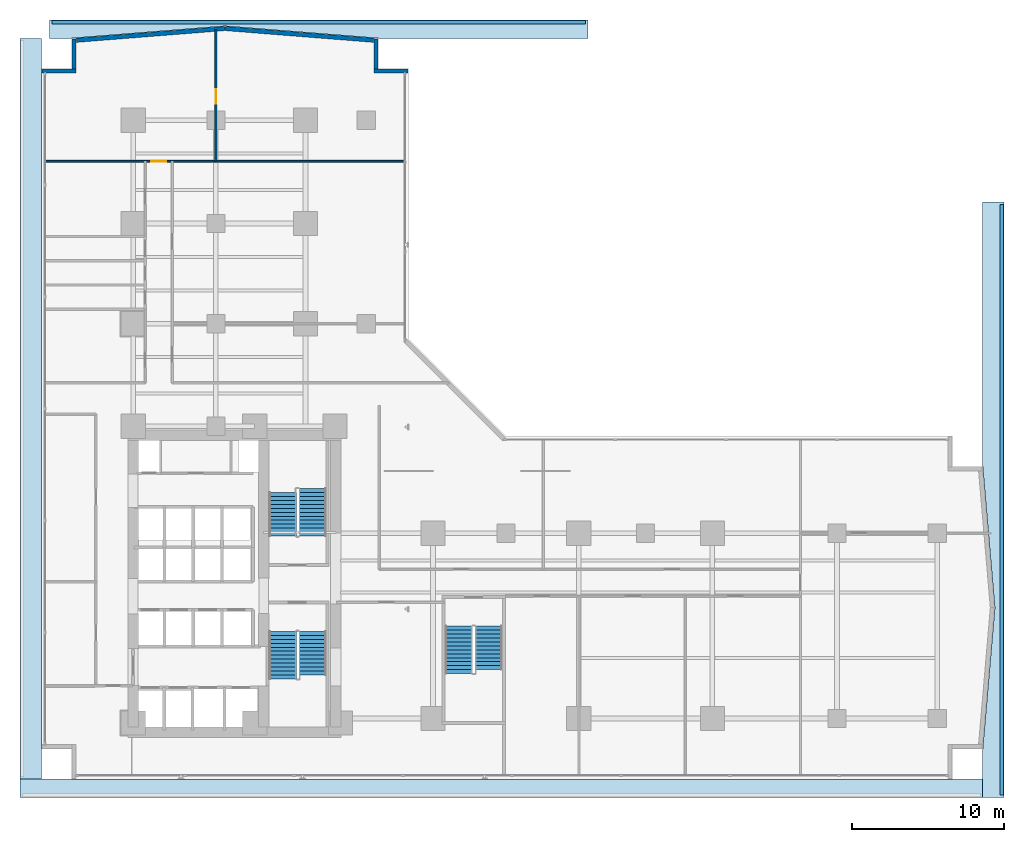
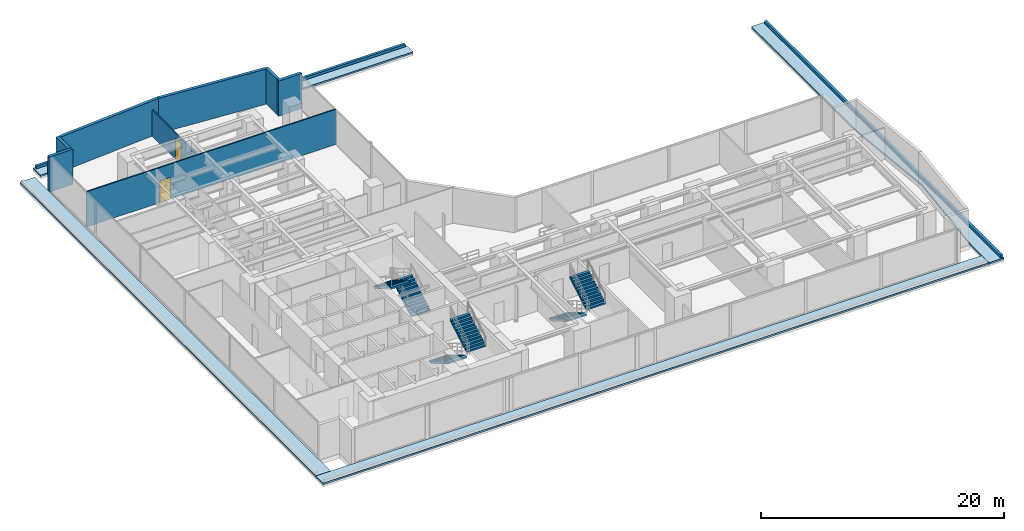
# One storey, part 24 of 29: 10 walls, 6 stair flights, 4 roofs, 2 doors, 2 openings, 3 elements without a shape of their own.
"""IFC4 building model written with IfcOpenShell, lengths in metres."""

from ifc_helpers import new_model, si_unit, direction, frame, frame_2d, origin, place, context, subcontext, project, spatial, polyline, rectangle, outline, extrude, material, layer, layer_set, type_object, element, fill, aggregate, save


model = new_model("IFC4")

# Units and contexts
model_context = context("Model", 3, precision=1e-05, world=origin(), true_north=direction((0.0, 1.0)))
body_context = subcontext(model_context, "Body", "Model", "MODEL_VIEW")
ifc_project = project(units=[si_unit("LENGTHUNIT", "METRE"), si_unit("AREAUNIT", "SQUARE_METRE"), si_unit("VOLUMEUNIT", "CUBIC_METRE"), si_unit("PLANEANGLEUNIT", "RADIAN"), si_unit("MASSUNIT", "GRAM", prefix="KILO")], contexts=[model_context])

# Site, building, storey
site_placement = place(None, origin())
site = spatial("IfcSite", under=ifc_project, at=site_placement, CompositionType="ELEMENT")
building_placement = place(site_placement, origin())
building = spatial("IfcBuilding", under=site, at=building_placement, Name="Kolvaren Waterfront Exchange", CompositionType="ELEMENT")
storey_placement = place(building_placement, frame((0.0, 0.0, 29.60009765625)))
storey = spatial("IfcBuildingStorey", under=building, at=storey_placement, Name="L07", CompositionType="ELEMENT", Elevation=29.60009765625)

# Walls
ifc_material_1 = material(Name="Precast concrete C40/50", Category="concrete")
ifc_layer_1 = layer(ifc_material_1, 0.280029296875, Name="Precast concrete C40/50")
ifc_layer_set_1 = layer_set([ifc_layer_1], Name="Precast concrete C40/50")
wall_type_1 = type_object("IfcWallType", Name="ARC-EXT-TERR-280", PredefinedType="SOLIDWALL", material=ifc_layer_set_1)
wall_1_placement = place(storey_placement, frame((23.300048828125, 47.840087890625, 0.0), z_axis=(0.0, 0.0, 1.0), x_axis=(1.0, 0.0, 0.0)))
element("IfcWall", 1, at=wall_1_placement, inside=storey, type_object=wall_type_1, Name="L07 notched corner spandrel pier NNE-A", PredefinedType="SOLIDWALL", context=body_context, shape_type="SweptSolid", body=[
    extrude(rectangle(XDim=2.239990234375, YDim=0.280029296875, at=frame_2d((1.1201171875, 0.0))), origin(), (0.0, 0.0, 1.0), 3.539794921875),
])
wall_2_placement = place(storey_placement, frame((23.43994140625, 47.97998046875, 0.0), z_axis=(0.0, 0.0, 1.0), x_axis=(0.0, 1.0, 0.0)))
element("IfcWall", 2, at=wall_2_placement, inside=storey, type_object=wall_type_1, Name="L07 notched corner spandrel pier NNE-B", PredefinedType="SOLIDWALL", context=body_context, shape_type="SweptSolid", body=[
    extrude(rectangle(XDim=1.9599609375, YDim=0.280029296875, at=frame_2d((0.97998046875, 0.0))), origin(), (0.0, 0.0, 1.0), 3.539794921875),
])
wall_3_placement = place(storey_placement, frame((1.4599609375, 47.840087890625, 0.0), z_axis=(0.0, 0.0, 1.0), x_axis=(1.0, 0.0, 0.0)))
element("IfcWall", 3, at=wall_3_placement, inside=storey, type_object=wall_type_1, Name="L07 notched corner spandrel pier NW-A", PredefinedType="SOLIDWALL", context=body_context, shape_type="SweptSolid", body=[
    extrude(rectangle(XDim=2.239990234375, YDim=0.280029296875, at=frame_2d((1.1201171875, 0.0))), origin(), (0.0, 0.0, 1.0), 3.539794921875),
])
wall_4_placement = place(storey_placement, frame((3.56005859375, 47.97998046875, 0.0), z_axis=(0.0, 0.0, 1.0), x_axis=(0.0, 1.0, 0.0)))
element("IfcWall", 4, at=wall_4_placement, inside=storey, type_object=wall_type_1, Name="L07 notched corner spandrel pier NW-B", PredefinedType="SOLIDWALL", context=body_context, shape_type="SweptSolid", body=[
    extrude(rectangle(XDim=1.9599609375, YDim=0.280029296875, at=frame_2d((0.97998046875, 0.0))), origin(), (0.0, 0.0, 1.0), 3.539794921875),
])
for number, where, z_axis, x_axis, name in (
    (5, (23.288330078125, 49.8642578125, 0.0), (0.0, 0.0, 1.0), (-0.996878337682, 0.078953023125, 0.0), "L07 north prow faceted facade wall 1"),
    (6, (13.49267578125, 50.638916015625, 0.0), (0.0, 0.0, 1.0), (-0.996878337682, -0.078953023125, 0.0), "L07 north prow faceted facade wall 2"),
):
    element("IfcWall", number, at=place(storey_placement, frame(where, z_axis=z_axis, x_axis=x_axis)), inside=storey, type_object=wall_type_1, Name=name, PredefinedType="SOLIDWALL", context=body_context, shape_type="SweptSolid", body=[
        extrude(rectangle(XDim=9.8115234375, YDim=0.280029296875, at=frame_2d((4.90576171875, 0.0))), origin(), (0.0, 0.0, 1.0), 3.539794921875),
    ])
ifc_layer_2 = layer(ifc_material_1, 0.239990234375, Name="Precast concrete C40/50")
ifc_layer_set_2 = layer_set([ifc_layer_2], Name="Precast concrete C40/50")
wall_type_2 = type_object("IfcWallType", Name="ARC-PARAPET-240", PredefinedType="PARAPET", material=ifc_layer_set_2)
wall_5_placement = place(storey_placement, frame((64.64990234375, 0.14990234375, 0.0), z_axis=(0.0, 0.0, 1.0), x_axis=(0.0, 1.0, 0.0)))
element("IfcWall", 7, at=wall_5_placement, inside=storey, type_object=wall_type_2, Name="L07 setback parapet kerb 1", PredefinedType="PARAPET", context=body_context, shape_type="SweptSolid", body=[
    extrude(rectangle(XDim=38.900146484375, YDim=0.239990234375, at=frame_2d((19.4501953125, 0.0))), origin(), (0.0, 0.0, 1.0), 0.419921875),
])
wall_6_placement = place(storey_placement, frame((2.10009765625, 51.050048828125, 0.0), z_axis=(0.0, 0.0, 1.0), x_axis=(1.0, 0.0, 0.0)))
element("IfcWall", 8, at=wall_6_placement, inside=storey, type_object=wall_type_2, Name="L07 setback parapet kerb 2", PredefinedType="PARAPET", context=body_context, shape_type="SweptSolid", body=[
    extrude(rectangle(XDim=35.14990234375, YDim=0.239990234375, at=frame_2d((17.574951171875, 0.0))), origin(), (0.0, 0.0, 1.0), 0.419921875),
])

# Wall, opening, door
ifc_material_2 = material(Name="Acoustic gypsum steel stud", Category="steel")
ifc_layer_3 = layer(ifc_material_2, 0.125, Name="Acoustic gypsum steel stud")
ifc_layer_set_3 = layer_set([ifc_layer_3], Name="Acoustic gypsum steel stud")
wall_type_3 = type_object("IfcWallType", Name="ARC-PART-125", PredefinedType="PARTITIONING", material=ifc_layer_set_3)
wall_7_placement = place(storey_placement, frame((1.639892578125, 41.89990234375, 0.0), z_axis=(0.0, 0.0, 1.0), x_axis=(1.0, 0.0, 0.0)))
wall_7 = element("IfcWall", 9, at=wall_7_placement, inside=storey, type_object=wall_type_3, Name="L07 interior wall PW-L07-NTIP-S", PredefinedType="PARTITIONING", context=body_context, shape_type="SweptSolid", body=[
    extrude(rectangle(XDim=23.72021484375, YDim=0.125, at=frame_2d((11.860107421875, 0.0))), origin(), (0.0, 0.0, 1.0), 3.539794921875),
])
opening_1_placement = place(wall_7_placement, frame((7.0, 0.0, 0.0)))
opening_1 = element("IfcOpeningElement", 10, at=opening_1_placement, cuts=wall_7, Name="Opening D03", PredefinedType="OPENING", context=body_context, shape_type="SweptSolid", body=[
    extrude(rectangle(XDim=1.0, YDim=2.199951171875, at=frame_2d((0.5, 1.10009765625))), frame((0.0, 0.072509765625, 0.0), z_axis=(0.0, -1.0, 0.0), x_axis=(1.0, 0.0, 0.0)), (0.0, 0.0, 1.0), 0.14501953125),
])
ifc_material_3 = material(Name="Oak veneer accessible timber", Category="wood")
door_type_1 = type_object("IfcDoorType", Name="ARC-DR-1000", OperationType="NOTDEFINED", PredefinedType="DOOR", material=ifc_material_3)
door_1_placement = place(opening_1_placement, origin())
door_1 = element("IfcDoor", 11, at=door_1_placement, inside=storey, type_object=door_type_1, Name="L07 door DR-L07-NTIPW-D (D03)", OperationType="SINGLE_SWING_RIGHT", OverallHeight=2.199951171875, OverallWidth=1.0, PredefinedType="DOOR", context=body_context, shape_type="SweptSolid", body=[
    extrude(rectangle(XDim=1.0, YDim=2.199951171875, at=frame_2d((0.5, 1.10009765625))), frame((0.0, 0.02490234375, 0.0), z_axis=(0.0, -1.0, 0.0), x_axis=(1.0, 0.0, 0.0)), (0.0, 0.0, 1.0), 0.050048828125),
])
fill(opening_1, door_1)

wall_8_placement = place(storey_placement, frame((12.89990234375, 41.89990234375, 0.0), z_axis=(0.0, 0.0, 1.0), x_axis=(0.0, 1.0, 0.0)))
wall_8 = element("IfcWall", 12, at=wall_8_placement, inside=storey, type_object=wall_type_3, Name="L07 interior wall PW-L07-NTIP-DIV", PredefinedType="PARTITIONING", context=body_context, shape_type="SweptSolid", body=[
    extrude(rectangle(XDim=8.66015625, YDim=0.125, at=frame_2d((4.330078125, 0.0))), origin(), (0.0, 0.0, 1.0), 2.6298828125),
])
opening_2_placement = place(wall_8_placement, frame((3.77880859375, 0.0, 0.0)))
opening_2 = element("IfcOpeningElement", 13, at=opening_2_placement, cuts=wall_8, Name="Opening D02", PredefinedType="OPENING", context=body_context, shape_type="SweptSolid", body=[
    extrude(rectangle(XDim=0.949951171875, YDim=2.14990234375, at=frame_2d((0.47509765625, 1.074951171875))), frame((0.0, 0.072509765625, 0.0), z_axis=(0.0, -1.0, 0.0), x_axis=(1.0, 0.0, 0.0)), (0.0, 0.0, 1.0), 0.14501953125),
])
ifc_material_4 = material(Name="Oak veneer acoustic timber", Category="wood")
door_type_2 = type_object("IfcDoorType", Name="ARC-DR-950", OperationType="NOTDEFINED", PredefinedType="DOOR", material=ifc_material_4)
door_2_placement = place(opening_2_placement, origin())
door_2 = element("IfcDoor", 14, at=door_2_placement, inside=storey, type_object=door_type_2, Name="L07 door DR-L07-NTIPE-D (D02)", OperationType="SINGLE_SWING_LEFT", OverallHeight=2.14990234375, OverallWidth=0.949951171875, PredefinedType="DOOR", context=body_context, shape_type="SweptSolid", body=[
    extrude(rectangle(XDim=0.949951171875, YDim=2.14990234375, at=frame_2d((0.47509765625, 1.074951171875))), frame((0.0, 0.02490234375, 0.0), z_axis=(0.0, -1.0, 0.0), x_axis=(1.0, 0.0, 0.0)), (0.0, 0.0, 1.0), 0.050048828125),
])
fill(opening_2, door_2)

# Stair, stair flights
ifc_material_5 = material(Name="Concrete C40/50", Category="concrete")
stair_type = type_object("IfcStairType", Name="ARC-STAIR-3800", PredefinedType="HALF_TURN_STAIR", material=ifc_material_5)
stair_1_placement = place(storey_placement, origin())
stair_1 = element("IfcStair", 15, at=stair_1_placement, inside=storey, type_object=stair_type, Name="L07 Smoke-proof exit stair ST1", PredefinedType="HALF_TURN_STAIR")
stair_flight_type = type_object("IfcStairFlightType", Name="ARC-FLIGHT-3800", PredefinedType="STRAIGHT", material=ifc_material_5)
stair_flight_1_placement = place(storey_placement, frame((17.300048828125, 10.929931640625, 0.0), z_axis=(0.0, 0.0, 1.0), x_axis=(0.0, -1.0, 0.0)))
stair_flight_1 = element("IfcStairFlight", 16, at=stair_flight_1_placement, type_object=stair_flight_type, Name="ST1 flight 1", NumberOfRisers=13, NumberOfTreads=12, PredefinedType="STRAIGHT", RiserHeight=0.152, TreadLength=0.26, context=body_context, shape_type="SweptSolid", body=[
    extrude(outline(polyline([(0.0, 0.0), (0.0, 0.152099609375), (0.260009765625, 0.152099609375), (0.260009765625, 0.303955078125), (0.52001953125, 0.303955078125), (0.52001953125, 0.4560546875), (0.780029296875, 0.4560546875), (0.780029296875, 0.60791015625), (1.0400390625, 0.60791015625), (1.0400390625, 0.760009765625), (1.300048828125, 0.760009765625), (1.300048828125, 0.912109375), (1.56005859375, 0.912109375), (1.56005859375, 1.06396484375), (1.820068359375, 1.06396484375), (1.820068359375, 1.216064453125), (2.080078125, 1.216064453125), (2.080078125, 1.367919921875), (2.340087890625, 1.367919921875), (2.340087890625, 1.52001953125), (2.60009765625, 1.52001953125), (2.60009765625, 1.672119140625), (2.860107421875, 1.672119140625), (2.860107421875, 1.823974609375), (3.1201171875, 1.823974609375), (3.1201171875, 1.97607421875), (3.1201171875, 1.650390625), (0.297119140625, 0.0), (0.0, 0.0)])), frame((0.0, 0.89990234375, 0.0), z_axis=(0.0, -1.0, 0.0), x_axis=(1.0, 0.0, 0.0)), (0.0, 0.0, 1.0), 1.800048828125),
])
stair_flight_2_placement = place(storey_placement, frame((19.260009765625, 8.070068359375, 1.975830078125), z_axis=(0.0, 0.0, 1.0), x_axis=(0.0, 1.0, 0.0)))
stair_flight_2 = element("IfcStairFlight", 17, at=stair_flight_2_placement, type_object=stair_flight_type, Name="ST1 flight 2", NumberOfRisers=12, NumberOfTreads=11, PredefinedType="STRAIGHT", RiserHeight=0.152, TreadLength=0.26, context=body_context, shape_type="SweptSolid", body=[
    extrude(outline(polyline([(0.0, 0.0), (0.0, 0.152099609375), (0.260009765625, 0.152099609375), (0.260009765625, 0.303955078125), (0.52001953125, 0.303955078125), (0.52001953125, 0.4560546875), (0.780029296875, 0.4560546875), (0.780029296875, 0.60791015625), (1.0400390625, 0.60791015625), (1.0400390625, 0.760009765625), (1.300048828125, 0.760009765625), (1.300048828125, 0.912109375), (1.56005859375, 0.912109375), (1.56005859375, 1.06396484375), (1.820068359375, 1.06396484375), (1.820068359375, 1.216064453125), (2.080078125, 1.216064453125), (2.080078125, 1.367919921875), (2.340087890625, 1.367919921875), (2.340087890625, 1.52001953125), (2.60009765625, 1.52001953125), (2.60009765625, 1.672119140625), (2.860107421875, 1.672119140625), (2.860107421875, 1.823974609375), (2.860107421875, 1.498291015625), (0.297119140625, 0.0), (0.0, 0.0)])), frame((0.0, 0.89990234375, 0.0), z_axis=(0.0, -1.0, 0.0), x_axis=(1.0, 0.0, 0.0)), (0.0, 0.0, 1.0), 1.800048828125),
])
aggregate(stair_1, [stair_flight_1, stair_flight_2])

stair_2_placement = place(storey_placement, origin())
stair_2 = element("IfcStair", 18, at=stair_2_placement, inside=storey, type_object=stair_type, Name="L07 Smoke-proof exit stair ST2", PredefinedType="HALF_TURN_STAIR")
stair_flight_3_placement = place(storey_placement, frame((19.260009765625, 17.219970703125, 0.0), z_axis=(0.0, 0.0, 1.0), x_axis=(0.0, 1.0, 0.0)))
stair_flight_3 = element("IfcStairFlight", 19, at=stair_flight_3_placement, type_object=stair_flight_type, Name="ST2 flight 1", NumberOfRisers=13, NumberOfTreads=12, PredefinedType="STRAIGHT", RiserHeight=0.152, TreadLength=0.26, context=body_context, shape_type="SweptSolid", body=[
    extrude(outline(polyline([(0.0, 0.0), (0.0, 0.152099609375), (0.260009765625, 0.152099609375), (0.260009765625, 0.303955078125), (0.52001953125, 0.303955078125), (0.52001953125, 0.4560546875), (0.780029296875, 0.4560546875), (0.780029296875, 0.60791015625), (1.0400390625, 0.60791015625), (1.0400390625, 0.760009765625), (1.300048828125, 0.760009765625), (1.300048828125, 0.912109375), (1.56005859375, 0.912109375), (1.56005859375, 1.06396484375), (1.820068359375, 1.06396484375), (1.820068359375, 1.216064453125), (2.080078125, 1.216064453125), (2.080078125, 1.367919921875), (2.340087890625, 1.367919921875), (2.340087890625, 1.52001953125), (2.60009765625, 1.52001953125), (2.60009765625, 1.672119140625), (2.860107421875, 1.672119140625), (2.860107421875, 1.823974609375), (3.1201171875, 1.823974609375), (3.1201171875, 1.97607421875), (3.1201171875, 1.650390625), (0.297119140625, 0.0), (0.0, 0.0)])), frame((0.0, 0.89990234375, 0.0), z_axis=(0.0, -1.0, 0.0), x_axis=(1.0, 0.0, 0.0)), (0.0, 0.0, 1.0), 1.800048828125),
])
stair_flight_4_placement = place(storey_placement, frame((17.300048828125, 20.080078125, 1.975830078125), z_axis=(0.0, 0.0, 1.0), x_axis=(0.0, -1.0, 0.0)))
stair_flight_4 = element("IfcStairFlight", 20, at=stair_flight_4_placement, type_object=stair_flight_type, Name="ST2 flight 2", NumberOfRisers=12, NumberOfTreads=11, PredefinedType="STRAIGHT", RiserHeight=0.152, TreadLength=0.26, context=body_context, shape_type="SweptSolid", body=[
    extrude(outline(polyline([(0.0, 0.0), (0.0, 0.152099609375), (0.260009765625, 0.152099609375), (0.260009765625, 0.303955078125), (0.52001953125, 0.303955078125), (0.52001953125, 0.4560546875), (0.780029296875, 0.4560546875), (0.780029296875, 0.60791015625), (1.0400390625, 0.60791015625), (1.0400390625, 0.760009765625), (1.300048828125, 0.760009765625), (1.300048828125, 0.912109375), (1.56005859375, 0.912109375), (1.56005859375, 1.06396484375), (1.820068359375, 1.06396484375), (1.820068359375, 1.216064453125), (2.080078125, 1.216064453125), (2.080078125, 1.367919921875), (2.340087890625, 1.367919921875), (2.340087890625, 1.52001953125), (2.60009765625, 1.52001953125), (2.60009765625, 1.672119140625), (2.860107421875, 1.672119140625), (2.860107421875, 1.823974609375), (2.860107421875, 1.498291015625), (0.297119140625, 0.0), (0.0, 0.0)])), frame((0.0, 0.89990234375, 0.0), z_axis=(0.0, -1.0, 0.0), x_axis=(1.0, 0.0, 0.0)), (0.0, 0.0, 1.0), 1.800048828125),
])
aggregate(stair_2, [stair_flight_3, stair_flight_4])

stair_3_placement = place(storey_placement, origin())
stair_3 = element("IfcStair", 21, at=stair_3_placement, inside=storey, type_object=stair_type, Name="L07 Exit stair ST3", PredefinedType="HALF_TURN_STAIR")
stair_flight_5_placement = place(storey_placement, frame((28.89990234375, 11.280029296875, 0.0), z_axis=(0.0, 0.0, 1.0), x_axis=(0.0, -1.0, 0.0)))
stair_flight_5 = element("IfcStairFlight", 22, at=stair_flight_5_placement, type_object=stair_flight_type, Name="ST3 flight 1", NumberOfRisers=13, NumberOfTreads=12, PredefinedType="STRAIGHT", RiserHeight=0.152, TreadLength=0.26, context=body_context, shape_type="SweptSolid", body=[
    extrude(outline(polyline([(0.0, 0.0), (0.0, 0.152099609375), (0.260009765625, 0.152099609375), (0.260009765625, 0.303955078125), (0.52001953125, 0.303955078125), (0.52001953125, 0.4560546875), (0.780029296875, 0.4560546875), (0.780029296875, 0.60791015625), (1.0400390625, 0.60791015625), (1.0400390625, 0.760009765625), (1.300048828125, 0.760009765625), (1.300048828125, 0.912109375), (1.56005859375, 0.912109375), (1.56005859375, 1.06396484375), (1.820068359375, 1.06396484375), (1.820068359375, 1.216064453125), (2.080078125, 1.216064453125), (2.080078125, 1.367919921875), (2.340087890625, 1.367919921875), (2.340087890625, 1.52001953125), (2.60009765625, 1.52001953125), (2.60009765625, 1.672119140625), (2.860107421875, 1.672119140625), (2.860107421875, 1.823974609375), (3.1201171875, 1.823974609375), (3.1201171875, 1.97607421875), (3.1201171875, 1.650390625), (0.297119140625, 0.0), (0.0, 0.0)])), frame((0.0, 0.89990234375, 0.0), z_axis=(0.0, -1.0, 0.0), x_axis=(1.0, 0.0, 0.0)), (0.0, 0.0, 1.0), 1.800048828125),
])
stair_flight_6_placement = place(storey_placement, frame((30.860107421875, 8.419921875, 1.975830078125), z_axis=(0.0, 0.0, 1.0), x_axis=(0.0, 1.0, 0.0)))
stair_flight_6 = element("IfcStairFlight", 23, at=stair_flight_6_placement, type_object=stair_flight_type, Name="ST3 flight 2", NumberOfRisers=12, NumberOfTreads=11, PredefinedType="STRAIGHT", RiserHeight=0.152, TreadLength=0.26, context=body_context, shape_type="SweptSolid", body=[
    extrude(outline(polyline([(0.0, 0.0), (0.0, 0.152099609375), (0.260009765625, 0.152099609375), (0.260009765625, 0.303955078125), (0.52001953125, 0.303955078125), (0.52001953125, 0.4560546875), (0.780029296875, 0.4560546875), (0.780029296875, 0.60791015625), (1.0400390625, 0.60791015625), (1.0400390625, 0.760009765625), (1.300048828125, 0.760009765625), (1.300048828125, 0.912109375), (1.56005859375, 0.912109375), (1.56005859375, 1.06396484375), (1.820068359375, 1.06396484375), (1.820068359375, 1.216064453125), (2.080078125, 1.216064453125), (2.080078125, 1.367919921875), (2.340087890625, 1.367919921875), (2.340087890625, 1.52001953125), (2.60009765625, 1.52001953125), (2.60009765625, 1.672119140625), (2.860107421875, 1.672119140625), (2.860107421875, 1.823974609375), (2.860107421875, 1.498291015625), (0.297119140625, 0.0), (0.0, 0.0)])), frame((0.0, 0.89990234375, 0.0), z_axis=(0.0, -1.0, 0.0), x_axis=(1.0, 0.0, 0.0)), (0.0, 0.0, 1.0), 1.800048828125),
])
aggregate(stair_3, [stair_flight_5, stair_flight_6])

# Roofs
ifc_layer_4 = layer(ifc_material_5, 0.320068359375, Name="Concrete C40/50")
ifc_layer_set_4 = layer_set([ifc_layer_4], Name="Concrete C40/50")
roof_type = type_object("IfcRoofType", Name="STR-ROOF-ASSY", PredefinedType="FLAT_ROOF", material=ifc_layer_set_4)
roof_1_placement = place(storey_placement, origin())
element("IfcRoof", 24, at=roof_1_placement, inside=storey, type_object=roof_type, Name="L07 insulated flat setback roof assembly 1", PredefinedType="FLAT_ROOF", context=body_context, shape_type="SweptSolid", body=[
    extrude(outline(polyline([(64.800048828125, 39.199951171875), (64.800048828125, 0.0), (63.389892578125, 0.0), (63.389892578125, 3.199951171875), (63.39990234375, 3.199951171875), (64.199951171875, 12.5), (63.39990234375, 21.800048828125), (63.389892578125, 21.800048828125), (63.389892578125, 39.199951171875), (64.800048828125, 39.199951171875)])), origin(), (0.0, 0.0, 1.0), 0.159912109375),
])
roof_2_placement = place(storey_placement, origin())
element("IfcRoof", 25, at=roof_2_placement, inside=storey, type_object=roof_type, Name="L07 insulated flat setback roof assembly 2", PredefinedType="FLAT_ROOF", context=body_context, shape_type="SweptSolid", body=[
    extrude(outline(polyline([(37.39990234375, 51.199951171875), (37.39990234375, 49.989990234375), (23.60009765625, 49.989990234375), (23.60009765625, 50.0), (13.5, 50.800048828125), (3.39990234375, 50.0), (3.39990234375, 49.989990234375), (1.949951171875, 49.989990234375), (1.949951171875, 51.199951171875), (37.39990234375, 51.199951171875)])), origin(), (0.0, 0.0, 1.0), 0.159912109375),
])
roof_3_placement = place(storey_placement, origin())
element("IfcRoof", 26, at=roof_3_placement, inside=storey, type_object=roof_type, Name="L07 insulated flat setback roof assembly 3", PredefinedType="FLAT_ROOF", context=body_context, shape_type="SweptSolid", body=[
    extrude(outline(polyline([(0.0, 0.0), (0.0, 1.2099609375), (3.39990234375, 1.2099609375), (3.39990234375, 1.199951171875), (61.39990234375, 1.199951171875), (61.39990234375, 1.2099609375), (63.389892578125, 1.2099609375), (63.389892578125, 0.0), (0.0, 0.0)])), origin(), (0.0, 0.0, 1.0), 0.159912109375),
])
roof_4_placement = place(storey_placement, origin())
element("IfcRoof", 27, at=roof_4_placement, inside=storey, type_object=roof_type, Name="L07 insulated flat setback roof assembly 4", PredefinedType="FLAT_ROOF", context=body_context, shape_type="SweptSolid", body=[
    extrude(outline(polyline([(0.0, 49.989990234375), (1.409912109375, 49.989990234375), (1.409912109375, 48.0), (1.39990234375, 48.0), (1.39990234375, 3.199951171875), (1.409912109375, 3.199951171875), (1.409912109375, 1.2099609375), (0.0, 1.2099609375), (0.0, 49.989990234375)])), origin(), (0.0, 0.0, 1.0), 0.159912109375),
])

save(model, "model.ifc")
